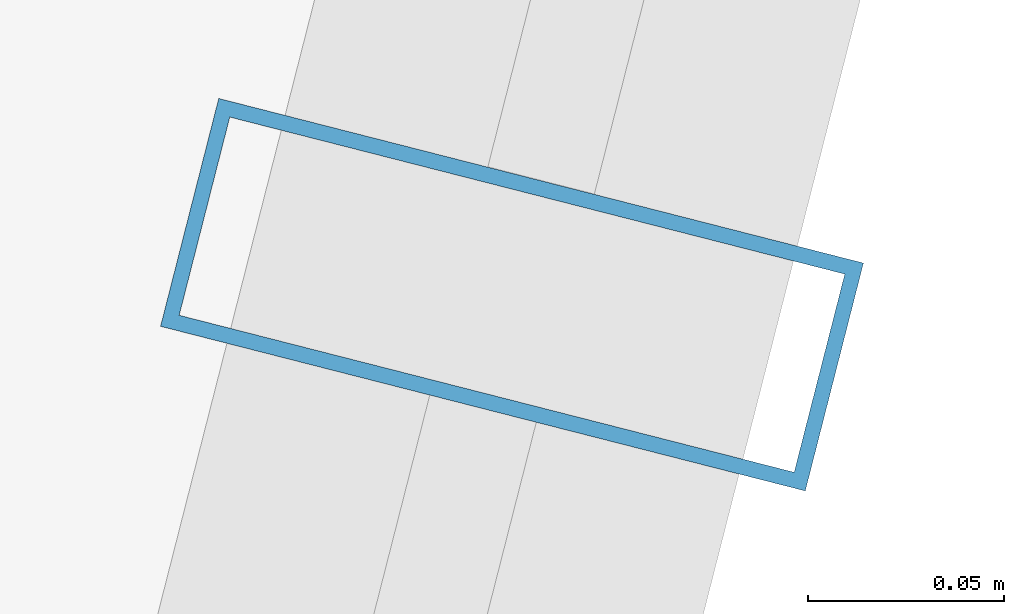
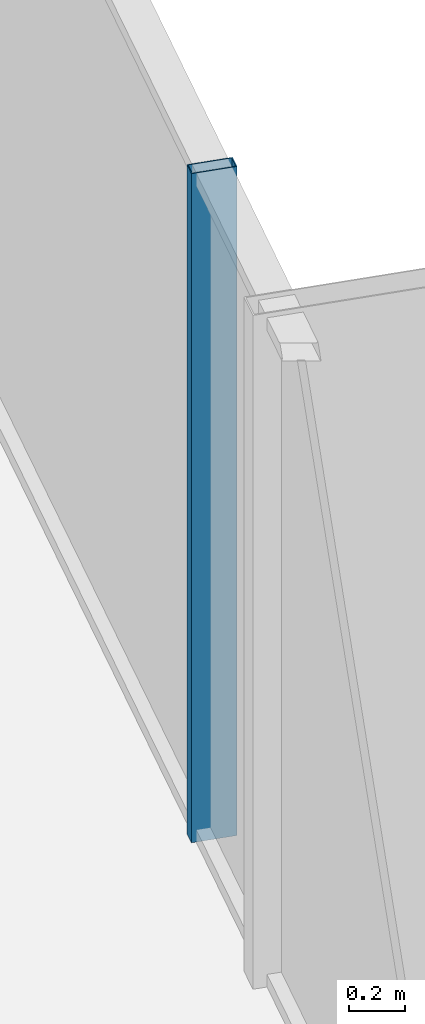
# One storey, part 19 of 39: 1 member, 1 element without a shape of its own.
"""IFC4 building model written with IfcOpenShell, lengths in metres."""

from ifc_helpers import new_model, si_unit, direction, frame, origin, origin_2d, place, context, subcontext, project, spatial, hollow_rectangle, extrude, source, transform, mapped, material, layer, layer_set, material_profile, profile_set, type_object, element, aggregate, save


model = new_model("IFC4")

# Units and contexts
model_context = context("Model", 3, precision=1e-05, world=origin(), true_north=direction((0.0, 1.0)))
body_context = subcontext(model_context, "Body", "Model", "MODEL_VIEW")
ifc_project = project(units=[si_unit("LENGTHUNIT", "METRE"), si_unit("AREAUNIT", "SQUARE_METRE"), si_unit("VOLUMEUNIT", "CUBIC_METRE"), si_unit("PLANEANGLEUNIT", "RADIAN"), si_unit("MASSUNIT", "GRAM", prefix="KILO")], contexts=[model_context])

# Site, building, storey
site_placement = place(None, origin())
site = spatial("IfcSite", under=ifc_project, at=site_placement, CompositionType="ELEMENT")
building_placement = place(site_placement, origin())
building = spatial("IfcBuilding", under=site, at=building_placement, Name="Veraguas Prism Commons", CompositionType="ELEMENT")
storey_placement = place(building_placement, frame((0.0, 0.0, 77.10009765625)))
storey = spatial("IfcBuildingStorey", under=building, at=storey_placement, Name="L21", CompositionType="ELEMENT", Elevation=77.10009765625)

# Curtain wall, member
ifc_material = material(Name="Anodised aluminium EN AW-6063 T6", Category="aluminium")
ifc_layer = layer(ifc_material, 0.169921875, Name="Unitised Flush Curtain Wall Zone 1", Category="aluminium")
ifc_layer_set = layer_set([ifc_layer], Name="Anodised aluminium EN AW-6063 T6")
curtain_wall_type = type_object("IfcCurtainWallType", Name="Unitised Flush Curtain Wall Zone 1", PredefinedType="NOTDEFINED", material=ifc_layer_set)
curtain_wall_placement = place(storey_placement, origin())
curtain_wall = element("IfcCurtainWall", 1, at=curtain_wall_placement, inside=storey, type_object=curtain_wall_type, Name="Tower Facade Curtain Wall L21-F6", PredefinedType="NOTDEFINED")
ifc_material_profile = material_profile(ifc_material, hollow_rectangle(XDim=0.06005859375, YDim=0.169921875, WallThickness=0.00390625, at=origin_2d()), Name="AL60X170X4")
ifc_profile_set = profile_set([ifc_material_profile], Name="Anodised aluminium EN AW-6063 T6")
member_type = type_object("IfcMemberType", Name="Curtain Wall Mullion Lower AL 60x170x4", PredefinedType="MULLION", material=ifc_profile_set)
shared_shape = source(origin(), body_context, "Body", "SweptSolid", [
    extrude(hollow_rectangle(XDim=0.06005859375, YDim=0.169921875, WallThickness=0.00390625, at=origin_2d()), origin(), (0.0, 0.0, 1.0), 2.929931640625),
])
member_placement = place(storey_placement, frame((45.294189453125, 23.385009765625, 0.0), z_axis=(0.0, 0.0, 1.0), x_axis=(0.247340630168, 0.968928590077, 0.0)))
member = element("IfcMember", 2, at=member_placement, type_object=member_type, Name="CW-Z1 Mullion 4", PredefinedType="MULLION", context=body_context, shape_type="MappedRepresentation", body=[
    mapped(shared_shape, transform((0.0, 0.0, 0.0), scale=1.0)),
])
aggregate(curtain_wall, [member])

save(model, "model.ifc")
